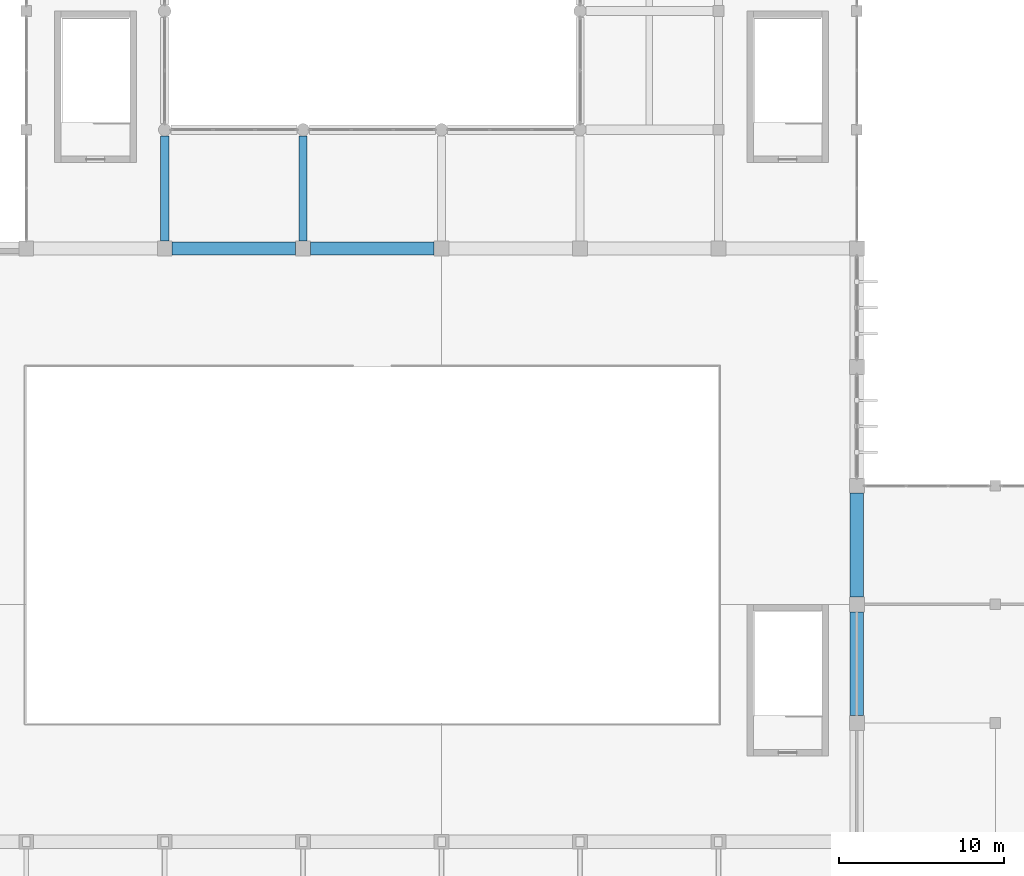
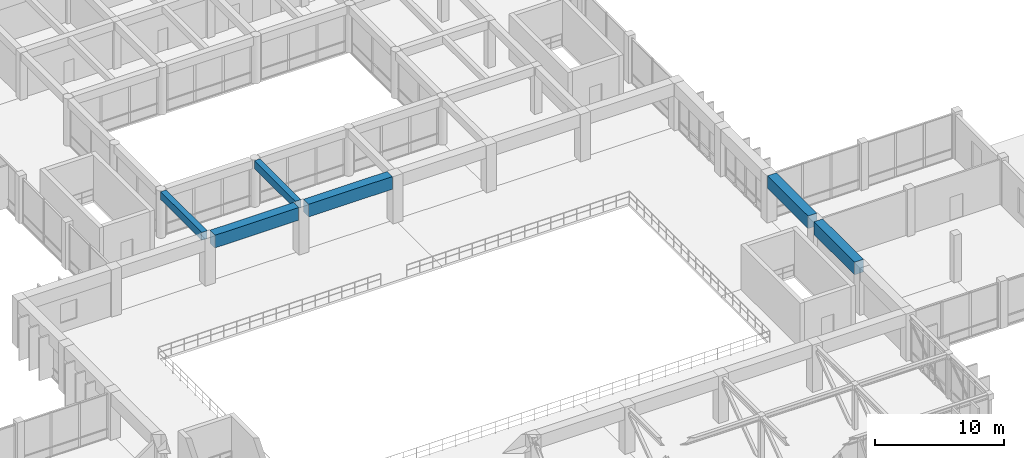
# One storey, part 10 of 40: 6 beams.
"""IFC4 building model written with IfcOpenShell, lengths in metres."""

from ifc_helpers import new_model, si_unit, direction, frame, origin, origin_2d, place, context, subcontext, project, spatial, rectangle, extrude, material, material_profile, profile_set, type_object, element, save


model = new_model("IFC4")

# Units and contexts
model_context = context("Model", 3, precision=1e-05, world=origin(), true_north=direction((0.0, 1.0)))
body_context = subcontext(model_context, "Body", "Model", "MODEL_VIEW")
ifc_project = project(units=[si_unit("LENGTHUNIT", "METRE"), si_unit("AREAUNIT", "SQUARE_METRE"), si_unit("VOLUMEUNIT", "CUBIC_METRE"), si_unit("PLANEANGLEUNIT", "RADIAN"), si_unit("MASSUNIT", "GRAM", prefix="KILO")], contexts=[model_context])

# Site, building, storey
site_placement = place(None, origin())
site = spatial("IfcSite", under=ifc_project, at=site_placement, CompositionType="ELEMENT")
building_placement = place(site_placement, origin())
building = spatial("IfcBuilding", under=site, at=building_placement, Name="Kenerak Square Central Library", CompositionType="ELEMENT")
storey_placement = place(building_placement, frame((0.0, 0.0, 14.39990234375)))
storey = spatial("IfcBuildingStorey", under=building, at=storey_placement, Name="L03", CompositionType="ELEMENT", Elevation=14.39990234375)

# Beams
ifc_material_1 = material(Name="Concrete C45/55", Category="concrete")
ifc_material_profile_1 = material_profile(ifc_material_1, rectangle(XDim=0.800048828125, YDim=1.199951171875, at=origin_2d()), Name="RC 800x1200")
ifc_profile_set_1 = profile_set([ifc_material_profile_1], Name="Concrete C45/55")
beam_type_1 = type_object("IfcBeamType", Name="Gridshell Ring Beam RB-01 RC 800x1200 C45/55", PredefinedType="BEAM", material=ifc_profile_set_1)
for number, where, z_axis, x_axis, name in (
    (1, (75.64990234375, 52.800048828125, 3.880126953125), (1.0, 0.0, 0.0), (0.0, 1.0, 0.0), "Gridshell Ring Beam RB-01 10"),
    (2, (84.050048828125, 52.800048828125, 3.880126953125), (1.0, 0.0, 0.0), (0.0, 1.0, 0.0), "Gridshell Ring Beam RB-01 11"),
):
    element("IfcBeam", number, at=place(storey_placement, frame(where, z_axis=z_axis, x_axis=x_axis)), inside=storey, type_object=beam_type_1, Name=name, PredefinedType="BEAM", context=body_context, shape_type="SweptSolid", body=[
        extrude(rectangle(XDim=0.800048828125, YDim=1.199951171875, at=origin_2d()), origin(), (0.0, 0.0, 1.0), 7.5),
    ])
for number, where, z_axis, x_axis, name in (
    (3, (117.199951171875, 24.449951171875, 3.880126953125), (0.0, 1.0, 0.0), (-1.0, 0.0, 0.0), "Gridshell Ring Beam RB-01 21"),
    (4, (117.199951171875, 31.64990234375, 3.880126953125), (0.0, 1.0, 0.0), (-1.0, 0.0, 0.0), "Gridshell Ring Beam RB-01 22"),
):
    element("IfcBeam", number, at=place(storey_placement, frame(where, z_axis=z_axis, x_axis=x_axis)), inside=storey, type_object=beam_type_1, Name=name, PredefinedType="BEAM", context=body_context, shape_type="SweptSolid", body=[
        extrude(rectangle(XDim=0.800048828125, YDim=1.199951171875, at=origin_2d()), origin(), (0.0, 0.0, 1.0), 6.300048828125),
    ])
ifc_material_2 = material(Name="Concrete C40/50", Category="concrete")
ifc_material_profile_2 = material_profile(ifc_material_2, rectangle(XDim=0.5, YDim=0.75, at=origin_2d()), Name="RC 500x750")
ifc_profile_set_2 = profile_set([ifc_material_profile_2], Name="Concrete C40/50")
beam_type_2 = type_object("IfcBeamType", Name="Transverse Frame Beam B-05 RC 500x750 C40/50", PredefinedType="BEAM", material=ifc_profile_set_2)
for number, where, z_axis, x_axis, name in (
    (5, (75.199951171875, 53.25, 4.10498046875), (0.0, 1.0, 0.0), (-1.0, 0.0, 0.0), "Beam B-05 L03 1467"),
    (6, (83.60009765625, 53.25, 4.10498046875), (0.0, 1.0, 0.0), (-1.0, 0.0, 0.0), "Beam B-05 L03 1475"),
):
    element("IfcBeam", number, at=place(storey_placement, frame(where, z_axis=z_axis, x_axis=x_axis)), inside=storey, type_object=beam_type_2, Name=name, PredefinedType="BEAM", context=body_context, shape_type="SweptSolid", body=[
        extrude(rectangle(XDim=0.5, YDim=0.75, at=origin_2d()), origin(), (0.0, 0.0, 1.0), 6.375),
    ])

save(model, "model.ifc")
